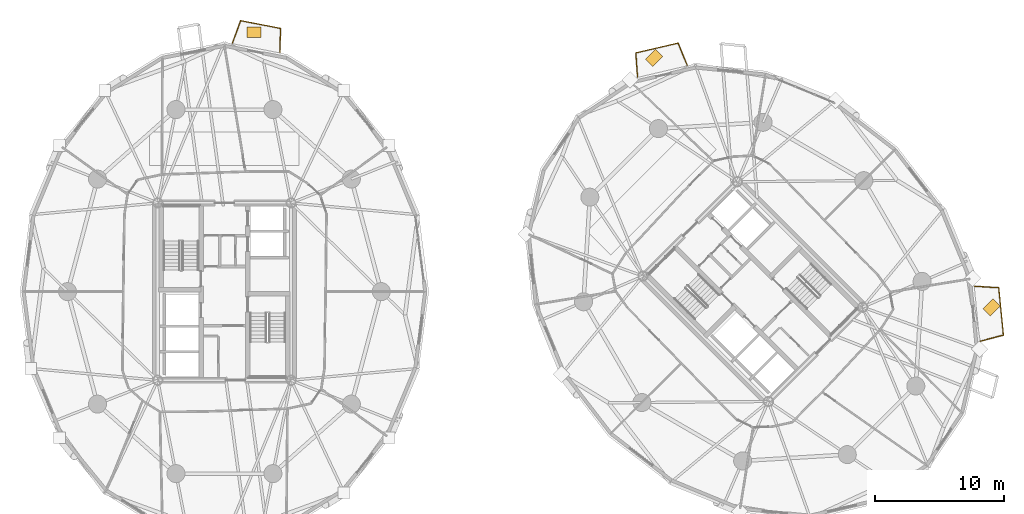
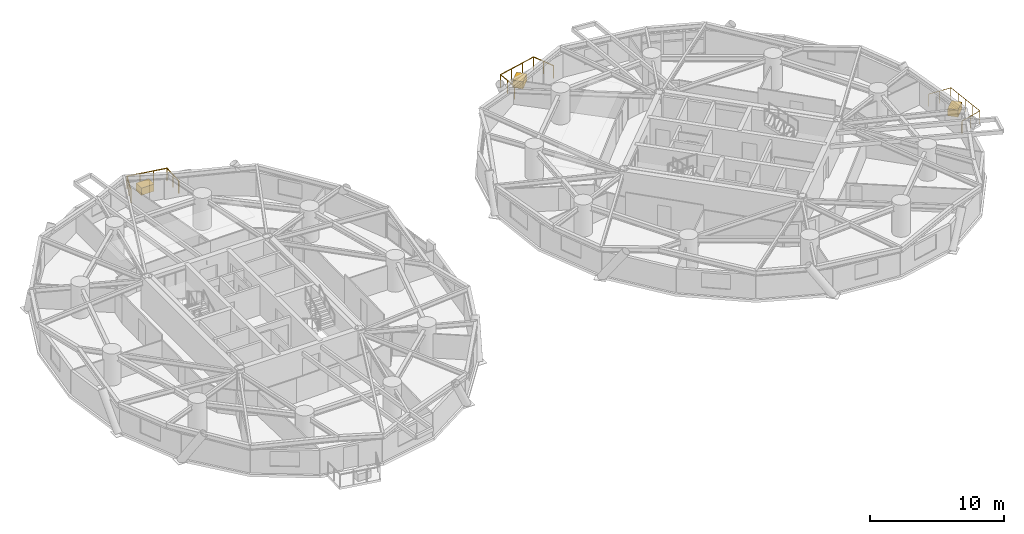
# One storey, part 18 of 18: 3 coverings, 3 railings.
"""IFC4 building model written with IfcOpenShell, lengths in metres."""

from ifc_helpers import new_model, si_unit, direction, frame, origin, origin_2d, place, context, subcontext, project, spatial, rectangle, circle, extrude, source, transform, mapped, material, layer, layer_set, type_object, element, save


model = new_model("IFC4")

# Units and contexts
model_context = context("Model", 3, precision=1e-05, world=origin(), true_north=direction((0.0, 1.0)))
body_context = subcontext(model_context, "Body", "Model", "MODEL_VIEW")
ifc_project = project(units=[si_unit("LENGTHUNIT", "METRE"), si_unit("AREAUNIT", "SQUARE_METRE"), si_unit("VOLUMEUNIT", "CUBIC_METRE"), si_unit("PLANEANGLEUNIT", "RADIAN"), si_unit("MASSUNIT", "GRAM", prefix="KILO")], contexts=[model_context])

# Site, building, storey
site_placement = place(None, origin())
site = spatial("IfcSite", under=ifc_project, at=site_placement, CompositionType="ELEMENT")
building_placement = place(site_placement, origin())
building = spatial("IfcBuilding", under=site, at=building_placement, Name="Cununo Teusaquillo Station Towers", CompositionType="ELEMENT")
storey_placement = place(building_placement, frame((0.0, 0.0, 102.159912109375)))
storey = spatial("IfcBuildingStorey", under=building, at=storey_placement, Name="L32", CompositionType="ELEMENT", Elevation=102.159912109375)

# Railings
ifc_material_1 = material(Name="Anodised dark bronze aluminium EN AW-6063-T6", Category="aluminium")
railing_type = type_object("IfcRailingType", Name="RL-EXT-GUARD", PredefinedType="GUARDRAIL", material=ifc_material_1)
railing_1_placement = place(storey_placement, frame((17.1181640625, 43.771728515625, 0.0)))
element("IfcRailing", 1, at=railing_1_placement, inside=storey, type_object=railing_type, Name="L32 Tower A Balcony Guardrail C04", PredefinedType="GUARDRAIL", context=body_context, shape_type="SweptSolid", body=[
    extrude(circle(Radius=0.02392578125, at=origin_2d()), frame((0.0, 0.0, 1.1259765625), z_axis=(0.343962021681, 0.9389835609, 0.0), x_axis=(-0.9389835609, 0.343962021681, 0.0)), (0.0, 0.0, 1.0), 1.86328125),
    extrude(circle(Radius=0.02392578125, at=origin_2d()), frame((0.640869140625, 1.74951171875, 1.1259765625), z_axis=(0.981834317938, -0.189740275429, 0.0), x_axis=(0.189740275429, 0.981834317938, 0.0)), (0.0, 0.0, 1.0), 3.15380859375),
    extrude(circle(Radius=0.02392578125, at=origin_2d()), frame((3.7373046875, 1.151123046875, 1.1259765625), z_axis=(-0.030662031384, -0.999529809376, 0.0), x_axis=(0.999529809376, -0.030662031384, 0.0)), (0.0, 0.0, 1.0), 1.86328125),
    extrude(circle(Radius=0.02099609375, at=origin_2d()), origin(), (0.0, 0.0, 1.0), 1.101806640625),
    extrude(circle(Radius=0.02099609375, at=origin_2d()), frame((0.3203125, 0.874755859375, 0.0)), (0.0, 0.0, 1.0), 1.101806640625),
    extrude(circle(Radius=0.02099609375, at=origin_2d()), frame((0.640869140625, 1.74951171875, 0.0)), (0.0, 0.0, 1.0), 1.101806640625),
    extrude(circle(Radius=0.02099609375, at=origin_2d()), frame((1.673095703125, 1.550048828125, 0.0)), (0.0, 0.0, 1.0), 1.101806640625),
    extrude(circle(Radius=0.02099609375, at=origin_2d()), frame((2.705078125, 1.3505859375, 0.0)), (0.0, 0.0, 1.0), 1.101806640625),
    extrude(circle(Radius=0.02099609375, at=origin_2d()), frame((3.7373046875, 1.151123046875, 0.0)), (0.0, 0.0, 1.0), 1.101806640625),
    extrude(circle(Radius=0.02099609375, at=origin_2d()), frame((3.708740234375, 0.219970703125, 0.0)), (0.0, 0.0, 1.0), 1.101806640625),
    extrude(circle(Radius=0.02099609375, at=origin_2d()), frame((3.68017578125, -0.711181640625, 0.0)), (0.0, 0.0, 1.0), 1.101806640625),
])
railing_2_placement = place(storey_placement, frame((48.55029296875, 41.15771484375, 0.0)))
element("IfcRailing", 2, at=railing_2_placement, inside=storey, type_object=railing_type, Name="L32 Tower B Balcony Guardrail C03", PredefinedType="GUARDRAIL", context=body_context, shape_type="SweptSolid", body=[
    extrude(circle(Radius=0.02392578125, at=origin_2d()), frame((0.0, 0.0, 1.1259765625), z_axis=(-0.069053440488, 0.997612962204, 0.0), x_axis=(-0.997612962204, -0.069053440488, 0.0)), (0.0, 0.0, 1.0), 1.86669921875),
    extrude(circle(Radius=0.02392578125, at=origin_2d()), frame((-0.12890625, 1.8623046875, 1.1259765625), z_axis=(0.973836929395, 0.227247959168, 0.0), x_axis=(-0.227247959168, 0.973836929395, 0.0)), (0.0, 0.0, 1.0), 3.365966796875),
    extrude(circle(Radius=0.02392578125, at=origin_2d()), frame((3.14892578125, 2.627197265625, 1.1259765625), z_axis=(0.379585063145, -0.925156840669, 0.0), x_axis=(0.925156840669, 0.379585063145, 0.0)), (0.0, 0.0, 1.0), 1.866455078125),
    extrude(circle(Radius=0.02099609375, at=origin_2d()), origin(), (0.0, 0.0, 1.0), 1.101806640625),
    extrude(circle(Radius=0.02099609375, at=origin_2d()), frame((-0.064453125, 0.93115234375, 0.0)), (0.0, 0.0, 1.0), 1.101806640625),
    extrude(circle(Radius=0.02099609375, at=origin_2d()), frame((-0.12890625, 1.8623046875, 0.0)), (0.0, 0.0, 1.0), 1.101806640625),
    extrude(circle(Radius=0.02099609375, at=origin_2d()), frame((0.963623046875, 2.1171875, 0.0)), (0.0, 0.0, 1.0), 1.101806640625),
    extrude(circle(Radius=0.02099609375, at=origin_2d()), frame((2.056396484375, 2.372314453125, 0.0)), (0.0, 0.0, 1.0), 1.101806640625),
    extrude(circle(Radius=0.02099609375, at=origin_2d()), frame((3.14892578125, 2.627197265625, 0.0)), (0.0, 0.0, 1.0), 1.101806640625),
    extrude(circle(Radius=0.02099609375, at=origin_2d()), frame((3.503173828125, 1.763671875, 0.0)), (0.0, 0.0, 1.0), 1.101806640625),
    extrude(circle(Radius=0.02099609375, at=origin_2d()), frame((3.857421875, 0.900390625, 0.0)), (0.0, 0.0, 1.0), 1.101806640625),
])
railing_3_placement = place(storey_placement, frame((74.7138671875, 24.914306640625, 0.0)))
element("IfcRailing", 3, at=railing_3_placement, inside=storey, type_object=railing_type, Name="L32 Tower B Balcony Guardrail C17", PredefinedType="GUARDRAIL", context=body_context, shape_type="SweptSolid", body=[
    extrude(circle(Radius=0.02392578125, at=origin_2d()), frame((0.0, 0.0, 1.1259765625), z_axis=(0.998126483753, -0.061184331575, 0.0), x_axis=(0.061184331575, 0.998126483753, 0.0)), (0.0, 0.0, 1.0), 1.871337890625),
    extrude(circle(Radius=0.02392578125, at=origin_2d()), frame((1.867919921875, -0.114501953125, 1.1259765625), z_axis=(0.098593628704, -0.99512777892, 0.0), x_axis=(0.99512777892, 0.098593628704, 0.0)), (0.0, 0.0, 1.0), 3.692138671875),
    extrude(circle(Radius=0.02392578125, at=origin_2d()), frame((2.23193359375, -3.78857421875, 1.1259765625), z_axis=(-0.966720413281, -0.255835186295, 0.0), x_axis=(0.255835186295, -0.966720413281, 0.0)), (0.0, 0.0, 1.0), 1.871337890625),
    extrude(circle(Radius=0.02099609375, at=origin_2d()), origin(), (0.0, 0.0, 1.0), 1.101806640625),
    extrude(circle(Radius=0.02099609375, at=origin_2d()), frame((0.93408203125, -0.05712890625, 0.0)), (0.0, 0.0, 1.0), 1.101806640625),
    extrude(circle(Radius=0.02099609375, at=origin_2d()), frame((1.867919921875, -0.114501953125, 0.0)), (0.0, 0.0, 1.0), 1.101806640625),
    extrude(circle(Radius=0.02099609375, at=origin_2d()), frame((1.958984375, -1.032958984375, 0.0)), (0.0, 0.0, 1.0), 1.101806640625),
    extrude(circle(Radius=0.02099609375, at=origin_2d()), frame((2.0498046875, -1.95166015625, 0.0)), (0.0, 0.0, 1.0), 1.101806640625),
    extrude(circle(Radius=0.02099609375, at=origin_2d()), frame((2.140869140625, -2.8701171875, 0.0)), (0.0, 0.0, 1.0), 1.101806640625),
    extrude(circle(Radius=0.02099609375, at=origin_2d()), frame((2.23193359375, -3.78857421875, 0.0)), (0.0, 0.0, 1.0), 1.101806640625),
    extrude(circle(Radius=0.02099609375, at=origin_2d()), frame((1.327392578125, -4.02783203125, 0.0)), (0.0, 0.0, 1.0), 1.101806640625),
    extrude(circle(Radius=0.02099609375, at=origin_2d()), frame((0.4228515625, -4.267333984375, 0.0)), (0.0, 0.0, 1.0), 1.101806640625),
])

# Coverings
ifc_material_2 = material(Name="Architectural GRC planter shell and engineered root-zone substrate", Category="concrete")
ifc_layer = layer(ifc_material_2, 0.64990234375)
ifc_layer_set = layer_set([ifc_layer], Name="Architectural GRC planter shell and engineered root-zone substrate")
covering_type = type_object("IfcCoveringType", Name="COV-TREE-PLANTER", PredefinedType="CLADDING", material=ifc_layer_set)
shared_shape = source(origin(), body_context, "Body", "SweptSolid", [
    extrude(rectangle(XDim=1.10009765625, YDim=0.800048828125, at=origin_2d()), origin(), (0.0, 0.0, 1.0), 0.64990234375),
])
for number, where, z_axis, x_axis, name in (
    (4, (18.7978515625, 44.614501953125, 0.000244140625), (0.0, 0.0, 1.0), (1.0, 0.0, 0.0), "L32 Tower A Balcony Tree PLANTER C04"),
    (5, (49.84326171875, 42.63818359375, 0.000244140625), (0.0, 0.0, 1.0), (0.707106781187, 0.707106781187, 0.0), "L32 Tower B Balcony Tree PLANTER C03"),
    (6, (76.031494140625, 23.277099609375, 0.000244140625), (0.0, 0.0, 1.0), (0.707106781187, 0.707106781187, 0.0), "L32 Tower B Balcony Tree PLANTER C17"),
):
    element("IfcCovering", number, at=place(storey_placement, frame(where, z_axis=z_axis, x_axis=x_axis)), inside=storey, type_object=covering_type, Name=name, PredefinedType="CLADDING", context=body_context, shape_type="MappedRepresentation", body=[
        mapped(shared_shape, transform((0.0, 0.0, 0.0), x_axis=(1.0, 0.0, 0.0), y_axis=(0.0, 1.0, 0.0), z_axis=(0.0, 0.0, 1.0), scale=1.0)),
    ])

save(model, "model.ifc")
